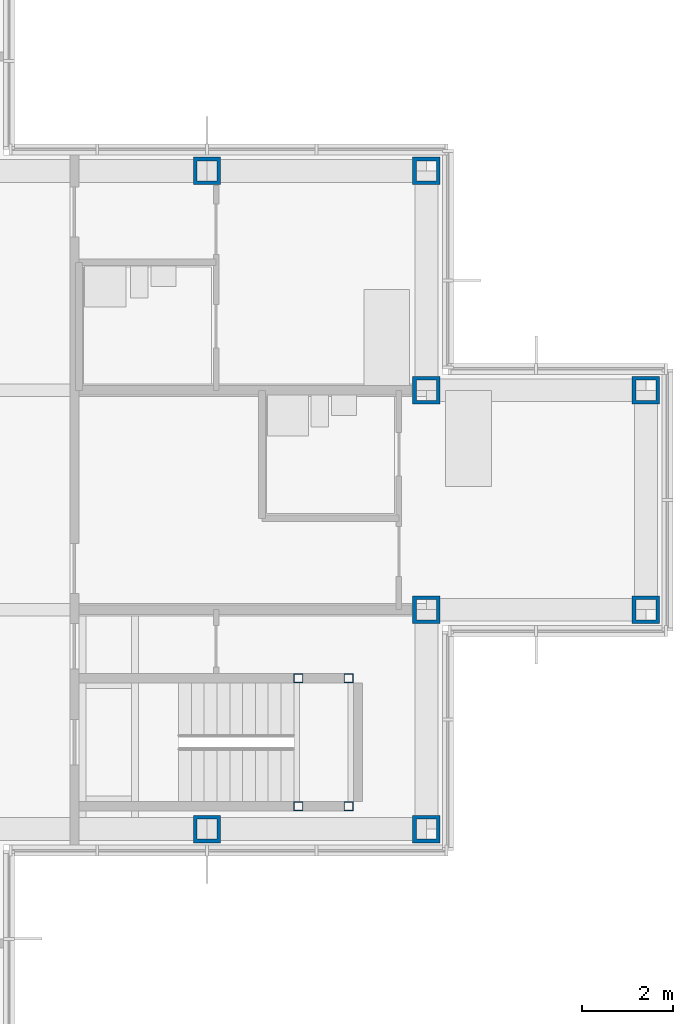
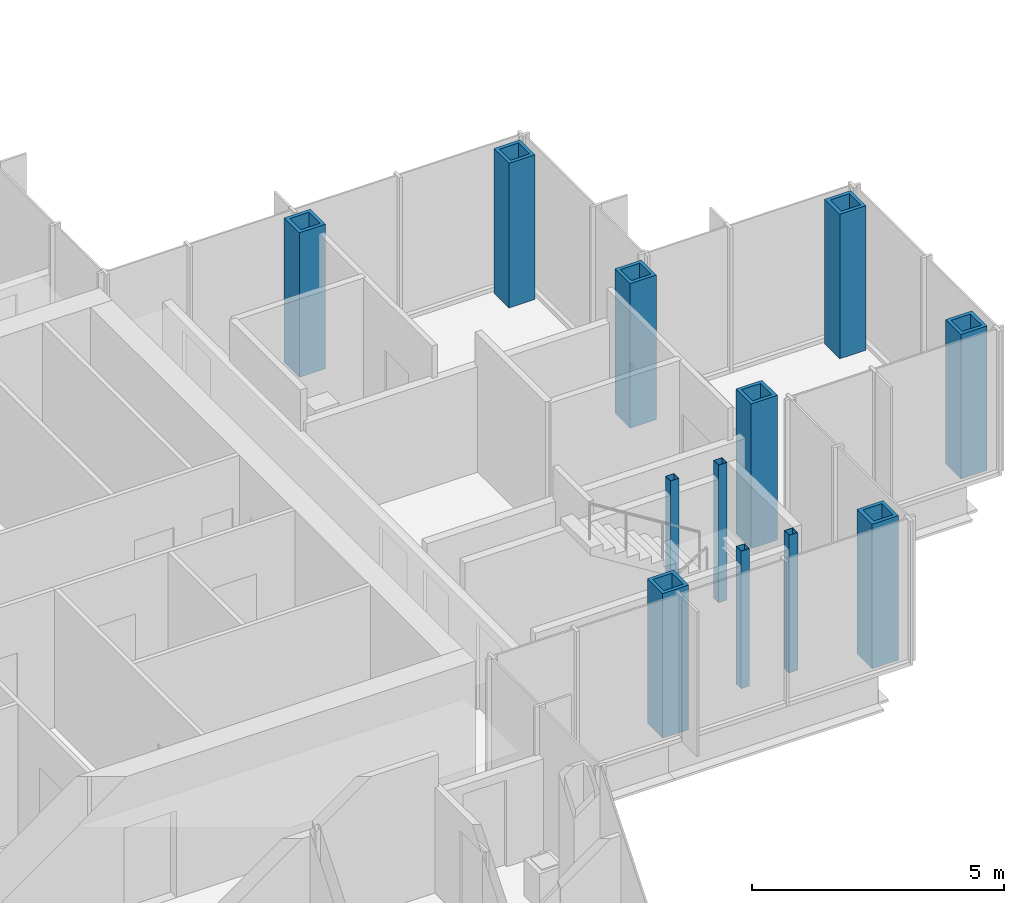
# One storey, part 4 of 17: 12 columns.
"""IFC4 building model written with IfcOpenShell, lengths in metres."""

import ifcopenshell
import ifcopenshell.guid

model = None  # the IFC model being written
_history = None  # IfcOwnerHistory: only IFC2X3 demands one
_inside = {}  # id of a spatial element -> (the spatial element, [elements in it])
_under = {}  # id of a project, library or spatial element -> (it, [spatial elements below it])
_declared = {}  # id of a project -> (the project, [libraries it declares])
_typed = {}  # id of a type object -> (the type object, [elements of that type])
_made_of = {}  # id of a material, layer set ... -> (it, [elements and type objects made of it])


def new_model(schema):
    """Start an empty IFC model of exactly this schema.

    Asked for "IFC4X3", IfcOpenShell would pick the latest addendum, in which some entities
    have other attributes; the version numbers below select the first issue.
    IFC2X3 requires an IfcOwnerHistory on every rooted entity: one is made here for all.
    """
    global model, _history
    if schema == "IFC4X3":
        model = ifcopenshell.file(schema_version=(4, 3, 0, 0))
    else:
        model = ifcopenshell.file(schema=schema)
    _inside.clear()
    _under.clear()
    _declared.clear()
    _typed.clear()
    _made_of.clear()
    _history = None
    if model.schema == "IFC2X3":
        org = make("IfcOrganization", Name="unknown")
        user = make(
            "IfcPersonAndOrganization",
            ThePerson=make("IfcPerson", FamilyName="unknown"),
            TheOrganization=org,
        )
        app = make(
            "IfcApplication",
            ApplicationDeveloper=org,
            Version="unknown",
            ApplicationFullName="unknown",
            ApplicationIdentifier="unknown",
        )
        _history = make(
            "IfcOwnerHistory",
            OwningUser=user,
            OwningApplication=app,
            ChangeAction="ADDED",
            CreationDate=0,
        )
    return model


def make(cls, **values):
    """One entity of the class cls with the attributes given. An attribute that is None is left unset."""
    return model.create_entity(
        cls, **{name: value for name, value in values.items() if value is not None}
    )


def rooted(cls, **values):
    """An entity with a GlobalId (a new one), such as an element, a storey or a relation."""
    return make(cls, GlobalId=ifcopenshell.guid.new(), OwnerHistory=_history, **values)


def si_unit(unit_type, name, prefix=None):
    """IfcSIUnit, for example si_unit("LENGTHUNIT", "METRE", prefix="MILLI")."""
    return make("IfcSIUnit", UnitType=unit_type, Prefix=prefix, Name=name)


def assignment(units):
    """IfcUnitAssignment: the units of a project."""
    return None if units is None else make("IfcUnitAssignment", Units=units)


def point(xyz):
    """IfcCartesianPoint."""
    return None if xyz is None else make("IfcCartesianPoint", Coordinates=xyz)


def direction(xyz):
    """IfcDirection."""
    return None if xyz is None else make("IfcDirection", DirectionRatios=xyz)


def frame(location, z_axis=None, x_axis=None):
    """IfcAxis2Placement3D, a coordinate frame: its origin and axes. An axis left out is left unset."""
    return make(
        "IfcAxis2Placement3D",
        Location=point(location),
        Axis=direction(z_axis),
        RefDirection=direction(x_axis),
    )


def frame_2d(location, x_axis=None):
    """IfcAxis2Placement2D, a coordinate frame in the plane: its origin and x axis."""
    return make(
        "IfcAxis2Placement2D", Location=point(location), RefDirection=direction(x_axis)
    )


def origin():
    """The frame at (0, 0, 0) with its axes left unset."""
    return frame((0.0, 0.0, 0.0))


def origin_2d():
    """The frame at (0, 0) in the plane with its x axis left unset."""
    return frame_2d((0.0, 0.0))


def place(relative_to, where):
    """IfcLocalPlacement: puts the frame where relative to a parent placement (None: the world)."""
    return make(
        "IfcLocalPlacement", PlacementRelTo=relative_to, RelativePlacement=where
    )


def context(
    kind, dimensions, precision=None, world=None, true_north=None, identifier=None
):
    """IfcGeometricRepresentationContext, for example the 3D "Model" context."""
    return make(
        "IfcGeometricRepresentationContext",
        ContextIdentifier=identifier,
        ContextType=kind,
        CoordinateSpaceDimension=dimensions,
        Precision=precision,
        WorldCoordinateSystem=world,
        TrueNorth=true_north,
    )


def subcontext(parent, identifier, kind, view, scale=None):
    """IfcGeometricRepresentationSubContext, for example "Body" below "Model"."""
    return make(
        "IfcGeometricRepresentationSubContext",
        ContextIdentifier=identifier,
        ContextType=kind,
        ParentContext=parent,
        TargetScale=scale,
        TargetView=view,
    )


def project(units=None, contexts=None):
    """IfcProject with its units and contexts."""
    return rooted(
        "IfcProject",
        Name="project",
        RepresentationContexts=contexts,
        UnitsInContext=assignment(units),
    )


def spatial(cls, under=None, at=None, **own):
    """A site, building, storey or space (cls), placed at a placement, below another one or the project."""
    s = rooted(cls, ObjectPlacement=at, **own)
    if under is not None:
        _under.setdefault(under.id(), (under, []))[1].append(s)
    return s


def profile(cls, at=None, kind="AREA", **sizes):
    """A parametric profile (cls). Its sizes go by their IFC names, for example OverallWidth=200.0."""
    return make(cls, ProfileType=kind, Position=at, **sizes)


def hollow_rectangle(**sizes):
    """IfcRectangleHollowProfileDef."""
    return profile("IfcRectangleHollowProfileDef", **sizes)


def extrude(swept, where, along, depth):
    """IfcExtrudedAreaSolid: the profile swept, set in the frame where, extruded along a direction by depth."""
    return make(
        "IfcExtrudedAreaSolid",
        SweptArea=swept,
        Position=where,
        ExtrudedDirection=direction(along),
        Depth=depth,
    )


def shape(context_of_items, identifier, shape_type, items):
    """IfcShapeRepresentation: the items that make up one representation, for example the "Body"."""
    return make(
        "IfcShapeRepresentation",
        ContextOfItems=context_of_items,
        RepresentationIdentifier=identifier,
        RepresentationType=shape_type,
        Items=items,
    )


def material(Name=None, Category=None):
    """IfcMaterial."""
    return make("IfcMaterial", Name=Name, Category=Category)


def material_profile(
    of_material, cross_section, Name=None, Category=None, Priority=None
):
    """IfcMaterialProfile: a cross section and its material."""
    return make(
        "IfcMaterialProfile",
        Name=Name,
        Material=of_material,
        Profile=cross_section,
        Priority=Priority,
        Category=Category,
    )


def profile_set(profiles, Name=None, composite=None):
    """IfcMaterialProfileSet."""
    return make(
        "IfcMaterialProfileSet",
        Name=Name,
        MaterialProfiles=profiles,
        CompositeProfile=composite,
    )


def made_of(thing, what):
    """Note that an element or type object is made of a material, layer set ...; save() writes the relation."""
    if what is not None:
        _made_of.setdefault(what.id(), (what, []))[1].append(thing)
    return thing


def type_object(cls, material=None, **own):
    """A type object (cls), such as IfcWallType, which elements share."""
    return made_of(rooted(cls, **own), material)


def element(
    cls,
    number,
    at=None,
    inside=None,
    cuts=None,
    type_object=None,
    material=None,
    context=None,
    identifier="Body",
    shape_type=None,
    held_by="IfcProductDefinitionShape",
    body=None,
    shapes=None,
    **own,
):
    """One element of the class cls, such as IfcWall. Its Tag is "e" and its number.

    at: its placement. inside: the storey or other place that contains it. cuts: it is an
    opening in that element (IfcRelVoidsElement). A single representation is given by context,
    identifier, shape_type and body (its items); several are given by shapes. held_by: the class
    of the entity that holds the representations. save() writes the other relations.
    """
    e = rooted(cls, Tag="e%d" % number, ObjectPlacement=at, **own)
    if body is not None:
        shapes = [shape(context, identifier, shape_type, body)]
    if shapes is not None:
        e.Representation = make(held_by, Representations=shapes)
    if inside is not None:
        _inside.setdefault(inside.id(), (inside, []))[1].append(e)
    if cuts is not None:
        rooted(
            "IfcRelVoidsElement", RelatingBuildingElement=cuts, RelatedOpeningElement=e
        )
    if type_object is not None:
        _typed.setdefault(type_object.id(), (type_object, []))[1].append(e)
    return made_of(e, material)


def aggregate(whole, parts):
    """IfcRelAggregates: a whole, such as a stair, and the parts it consists of."""
    return rooted("IfcRelAggregates", RelatingObject=whole, RelatedObjects=parts)


def save(model, path):
    """Write the relations noted so far, then the file.

    IfcRelAggregates (storeys below a building ...), IfcRelContainedInSpatialStructure (elements
    in a storey), IfcRelDefinesByType, IfcRelAssociatesMaterial and IfcRelDeclares: one each for
    every whole, place, type object, material and project.
    """
    for whole, parts in _under.values():
        aggregate(whole, parts)
    for where, things in _inside.values():
        rooted(
            "IfcRelContainedInSpatialStructure",
            RelatedElements=things,
            RelatingStructure=where,
        )
    for kind, things in _typed.values():
        rooted("IfcRelDefinesByType", RelatedObjects=things, RelatingType=kind)
    for what, things in _made_of.values():
        rooted("IfcRelAssociatesMaterial", RelatedObjects=things, RelatingMaterial=what)
    for by, libraries in _declared.values():
        rooted("IfcRelDeclares", RelatingContext=by, RelatedDefinitions=libraries)
    model.write(path)


model = new_model("IFC4")

# Units and contexts
model_context = context("Model", 3, precision=1e-05, world=origin(), true_north=direction((0.0, 1.0)))
body_context = subcontext(model_context, "Body", "Model", "MODEL_VIEW")
ifc_project = project(units=[si_unit("LENGTHUNIT", "METRE"), si_unit("AREAUNIT", "SQUARE_METRE"), si_unit("VOLUMEUNIT", "CUBIC_METRE"), si_unit("PLANEANGLEUNIT", "RADIAN"), si_unit("MASSUNIT", "GRAM", prefix="KILO")], contexts=[model_context])

# Site, building, storey
site_placement = place(None, origin())
site = spatial("IfcSite", under=ifc_project, at=site_placement, CompositionType="ELEMENT")
building_placement = place(site_placement, origin())
building = spatial("IfcBuilding", under=site, at=building_placement, Name="Kvirike Care Tower", CompositionType="ELEMENT")
storey_placement = place(building_placement, frame((0.0, 0.0, 148.0)))
storey = spatial("IfcBuildingStorey", under=building, at=storey_placement, Name="L40", CompositionType="ELEMENT", Elevation=148.0)

# Columns
ifc_material_1 = material(Name="Steel S460", Category="steel")
ifc_material_profile_1 = material_profile(ifc_material_1, hollow_rectangle(XDim=0.60009765625, YDim=0.60009765625, WallThickness=0.080078125, at=origin_2d()), Name="BX 600x600x80")
ifc_profile_set_1 = profile_set([ifc_material_profile_1], Name="Steel S460")
column_type_1 = type_object("IfcColumnType", Name="COLUMN BX 600x600x80", PredefinedType="COLUMN", material=ifc_profile_set_1)
for number, where, z_axis, x_axis, name in (
    (1, (33.60009765625, 28.800048828125, 0.0), (0.0, 0.0, 1.0), (0.0, 1.0, 0.0), "Column G10 L40"),
    (2, (33.60009765625, 43.199951171875, 0.0), (0.0, 0.0, 1.0), (0.0, 1.0, 0.0), "Column K10 L40"),
    (3, (38.39990234375, 28.800048828125, 0.0), (0.0, 0.0, 1.0), (0.0, 1.0, 0.0), "Column G11 L40"),
    (4, (38.39990234375, 33.60009765625, 0.0), (0.0, 0.0, 1.0), (0.0, 1.0, 0.0), "Column H11 L40"),
    (5, (38.39990234375, 38.39990234375, 0.0), (0.0, 0.0, 1.0), (0.0, 1.0, 0.0), "Column J11 L40"),
    (6, (38.39990234375, 43.199951171875, 0.0), (0.0, 0.0, 1.0), (0.0, 1.0, 0.0), "Column K11 L40"),
    (7, (43.199951171875, 33.60009765625, 0.0), (0.0, 0.0, 1.0), (0.0, 1.0, 0.0), "Column H12 L40"),
    (8, (43.199951171875, 38.39990234375, 0.0), (0.0, 0.0, 1.0), (0.0, 1.0, 0.0), "Column J12 L40"),
):
    element("IfcColumn", number, at=place(storey_placement, frame(where, z_axis=z_axis, x_axis=x_axis)), inside=storey, type_object=column_type_1, Name=name, PredefinedType="COLUMN", context=body_context, shape_type="SweptSolid", body=[
        extrude(hollow_rectangle(XDim=0.60009765625, YDim=0.60009765625, WallThickness=0.080078125, at=origin_2d()), origin(), (0.0, 0.0, 1.0), 3.5),
    ])
ifc_material_2 = material(Name="Steel S460", Category="steel")
ifc_material_profile_2 = material_profile(ifc_material_2, hollow_rectangle(XDim=0.199951171875, YDim=0.199951171875, WallThickness=0.008056640625, at=origin_2d()), Name="SHS 200x200x8")
ifc_profile_set_2 = profile_set([ifc_material_profile_2], Name="Steel S460")
column_type_2 = type_object("IfcColumnType", Name="STAIR POST SHS 200x200x8", PredefinedType="COLUMN", material=ifc_profile_set_2)
for number, where, z_axis, x_axis, name in (
    (9, (36.699951171875, 29.300048828125, 0.0), (0.0, 0.0, 1.0), (1.0, 0.0, 0.0), "Stair 2 post 1 L40"),
    (10, (36.699951171875, 32.10009765625, 0.0), (0.0, 0.0, 1.0), (1.0, 0.0, 0.0), "Stair 2 post 2 L40"),
    (11, (35.60009765625, 29.300048828125, 0.0), (0.0, 0.0, 1.0), (1.0, 0.0, 0.0), "Stair 2 post 3 L40"),
    (12, (35.60009765625, 32.10009765625, 0.0), (0.0, 0.0, 1.0), (1.0, 0.0, 0.0), "Stair 2 post 4 L40"),
):
    element("IfcColumn", number, at=place(storey_placement, frame(where, z_axis=z_axis, x_axis=x_axis)), inside=storey, type_object=column_type_2, Name=name, PredefinedType="COLUMN", context=body_context, shape_type="SweptSolid", body=[
        extrude(hollow_rectangle(XDim=0.199951171875, YDim=0.199951171875, WallThickness=0.008056640625, at=origin_2d()), origin(), (0.0, 0.0, 1.0), 3.330078125),
    ])

save(model, "model.ifc")
